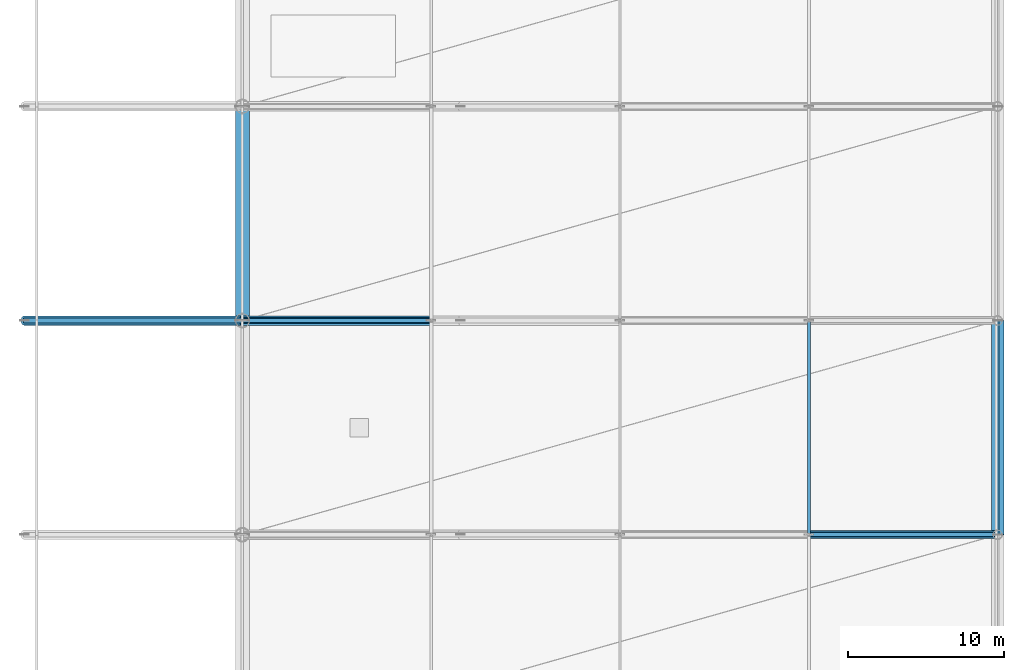
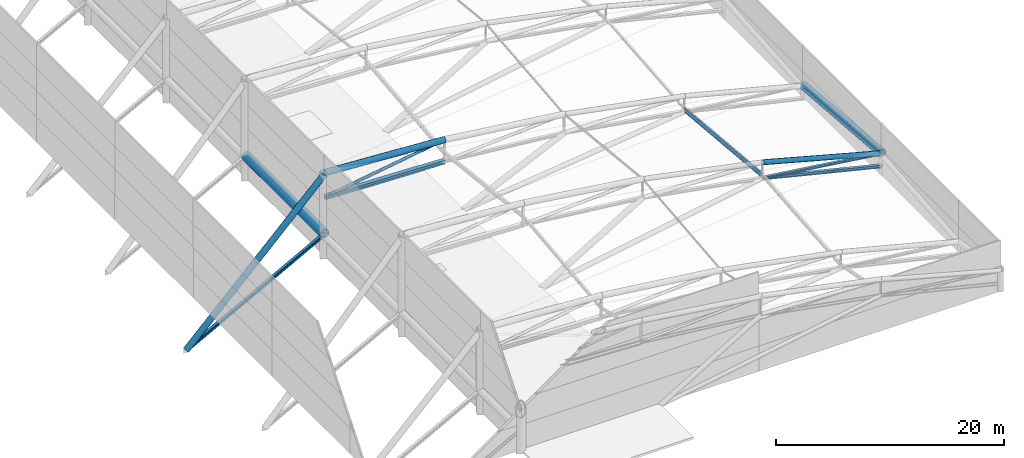
# One storey, part 11 of 36: 10 members, 2 beams.
"""IFC4 building model written with IfcOpenShell, lengths in metres."""

from ifc_helpers import new_model, si_unit, direction, frame, origin, origin_2d, place, context, subcontext, project, spatial, hollow_circle, i_section, extrude, material, material_profile, profile_set, type_object, element, save


model = new_model("IFC4")

# Units and contexts
model_context = context("Model", 3, precision=1e-05, world=origin(), true_north=direction((0.0, 1.0)))
body_context = subcontext(model_context, "Body", "Model", "MODEL_VIEW")
ifc_project = project(units=[si_unit("LENGTHUNIT", "METRE"), si_unit("AREAUNIT", "SQUARE_METRE"), si_unit("VOLUMEUNIT", "CUBIC_METRE"), si_unit("PLANEANGLEUNIT", "RADIAN"), si_unit("MASSUNIT", "GRAM", prefix="KILO")], contexts=[model_context])

# Site, building, storey
site_placement = place(None, origin())
site = spatial("IfcSite", under=ifc_project, at=site_placement, CompositionType="ELEMENT")
building_placement = place(site_placement, origin())
building = spatial("IfcBuilding", under=site, at=building_placement, Name="Linyun Crest Stadium", CompositionType="ELEMENT")
storey_placement = place(building_placement, frame((0.0, 0.0, 31.60009765625)))
storey = spatial("IfcBuildingStorey", under=building, at=storey_placement, Name="RF", CompositionType="ELEMENT", Elevation=31.60009765625)

# Beams
ifc_material_1 = material(Name="Steel Q420C", Category="steel")
ifc_material_profile_1 = material_profile(ifc_material_1, hollow_circle(Radius=0.406494140625, WallThickness=0.035888671875, at=origin_2d()), Name="CHS 813x36")
ifc_profile_set_1 = profile_set([ifc_material_profile_1], Name="Steel Q420C")
beam_type_1 = type_object("IfcBeamType", Name="HB01", PredefinedType="USERDEFINED", material=ifc_profile_set_1)
beam_1_placement = place(storey_placement, frame((-35.5, -25.375, 2.15283203125), z_axis=(0.0, 0.996786513506, -0.080103973014), x_axis=(-1.0, 0.0, 0.0)))
element("IfcBeam", 1, at=beam_1_placement, inside=storey, type_object=beam_type_1, Name="Roof Inner tension ring beam HB01 V1 5", ObjectType="RING BEAM", PredefinedType="USERDEFINED", context=body_context, shape_type="SweptSolid", body=[
    extrude(hollow_circle(Radius=0.406494140625, WallThickness=0.035888671875, at=origin_2d()), origin(), (0.0, 0.0, 1.0), 13.79443359375),
])
ifc_material_2 = material(Name="Steel Q420C", Category="steel")
ifc_material_profile_2 = material_profile(ifc_material_2, hollow_circle(Radius=0.45703125, WallThickness=0.0380859375, at=origin_2d()), Name="CHS 914x38")
ifc_profile_set_2 = profile_set([ifc_material_profile_2], Name="Steel Q420C")
beam_type_2 = type_object("IfcBeamType", Name="HB02", PredefinedType="USERDEFINED", material=ifc_profile_set_2)
beam_2_placement = place(storey_placement, frame((-84.0, -11.625, 2.164794921875), z_axis=(0.0, 1.0, 0.0), x_axis=(-1.0, 0.0, 0.0)))
element("IfcBeam", 2, at=beam_2_placement, inside=storey, type_object=beam_type_2, Name="Roof Outer compression ring beam HB02 V1 8", ObjectType="RING BEAM", PredefinedType="USERDEFINED", context=body_context, shape_type="SweptSolid", body=[
    extrude(hollow_circle(Radius=0.45703125, WallThickness=0.0380859375, at=origin_2d()), origin(), (0.0, 0.0, 1.0), 13.75),
])

# Members
ifc_material_3 = material(Name="Steel Q355B", Category="steel")
ifc_material_profile_3 = material_profile(ifc_material_3, i_section(OverallWidth=0.199951171875, OverallDepth=0.449951171875, WebThickness=0.009033203125, FlangeThickness=0.013916015625, at=origin_2d()), Name="HN 450x200")
ifc_profile_set_3 = profile_set([ifc_material_profile_3], Name="Steel Q355B")
member_type_1 = type_object("IfcMemberType", Name="PR04", PredefinedType="PURLIN", material=ifc_profile_set_3)
member_1_placement = place(storey_placement, frame((-47.625, -25.375, 4.02978515625), z_axis=(0.0, 0.995867658033, -0.090816340406), x_axis=(-1.0, 0.0, 0.0)))
element("IfcMember", 3, at=member_1_placement, inside=storey, type_object=member_type_1, Name="Roof canopy purlin PR04 V1 162", PredefinedType="PURLIN", context=body_context, shape_type="SweptSolid", body=[
    extrude(i_section(OverallWidth=0.199951171875, OverallDepth=0.449951171875, WebThickness=0.009033203125, FlangeThickness=0.013916015625, at=origin_2d()), origin(), (0.0, 0.0, 1.0), 13.80712890625),
])
ifc_material_4 = material(Name="Steel Q355B", Category="steel")
ifc_material_profile_4 = material_profile(ifc_material_4, i_section(OverallWidth=0.175048828125, OverallDepth=0.243896484375, WebThickness=0.007080078125, FlangeThickness=0.010986328125, at=origin_2d()), Name="HM 244x175")
ifc_profile_set_4 = profile_set([ifc_material_profile_4], Name="Steel Q355B")
member_type_2 = type_object("IfcMemberType", Name="PR05", PredefinedType="PURLIN", material=ifc_profile_set_4)
member_2_placement = place(storey_placement, frame((-35.5, -25.375, 2.07080078125), z_axis=(0.0, 0.996786513506, -0.080103973014), x_axis=(-1.0, 0.0, 0.0)))
element("IfcMember", 4, at=member_2_placement, inside=storey, type_object=member_type_2, Name="Roof canopy purlin PR05 V1 163", PredefinedType="PURLIN", context=body_context, shape_type="SweptSolid", body=[
    extrude(i_section(OverallWidth=0.175048828125, OverallDepth=0.243896484375, WebThickness=0.007080078125, FlangeThickness=0.010986328125, at=origin_2d()), origin(), (0.0, 0.0, 1.0), 13.79443359375),
])
ifc_material_5 = material(Name="Steel Q420C", Category="steel")
ifc_material_profile_5 = material_profile(ifc_material_5, hollow_circle(Radius=0.25390625, WallThickness=0.02490234375, at=origin_2d()), Name="CHS 508x25")
ifc_profile_set_5 = profile_set([ifc_material_profile_5], Name="Steel Q420C")
member_type_3 = type_object("IfcMemberType", Name="TC01", PredefinedType="CHORD", material=ifc_profile_set_5)
member_3_placement = place(storey_placement, frame((-47.625, -25.375, 5.414794921875), z_axis=(0.965664927757, 0.0, -0.25979077601), x_axis=(0.0, 1.0, 0.0)))
element("IfcMember", 5, at=member_3_placement, inside=storey, type_object=member_type_3, Name="Roof truss top chord TC01 V1 52", PredefinedType="CHORD", context=body_context, shape_type="SweptSolid", body=[
    extrude(hollow_circle(Radius=0.25390625, WallThickness=0.02490234375, at=origin_2d()), origin(), (0.0, 0.0, 1.0), 12.55615234375),
])
ifc_material_6 = material(Name="Steel Q420C", Category="steel")
ifc_material_profile_6 = material_profile(ifc_material_6, hollow_circle(Radius=0.304931640625, WallThickness=0.030029296875, at=origin_2d()), Name="CHS 610x30")
ifc_profile_set_6 = profile_set([ifc_material_profile_6], Name="Steel Q420C")
member_type_4 = type_object("IfcMemberType", Name="TC02", PredefinedType="CHORD", material=ifc_profile_set_6)
member_4_placement = place(storey_placement, frame((-84.0, -11.625, 8.5498046875), z_axis=(-0.708878482915, 0.0, -0.70533062918), x_axis=(0.0, -1.0, 0.0)))
element("IfcMember", 6, at=member_4_placement, inside=storey, type_object=member_type_4, Name="Roof truss back-stay chord TC02 V1 58", PredefinedType="CHORD", context=body_context, shape_type="SweptSolid", body=[
    extrude(hollow_circle(Radius=0.304931640625, WallThickness=0.030029296875, at=origin_2d()), origin(), (0.0, 0.0, 1.0), 19.74951171875),
])
member_5_placement = place(storey_placement, frame((-84.0, -11.625, 8.699951171875), z_axis=(0.998274858327, 0.0, -0.058713773783), x_axis=(0.0, 1.0, 0.0)))
element("IfcMember", 7, at=member_5_placement, inside=storey, type_object=member_type_4, Name="Roof truss top chord TC02 V1 60", PredefinedType="CHORD", context=body_context, shape_type="SweptSolid", body=[
    extrude(hollow_circle(Radius=0.304931640625, WallThickness=0.030029296875, at=origin_2d()), origin(), (0.0, 0.0, 1.0), 12.14599609375),
])
ifc_material_7 = material(Name="Steel Q355C", Category="steel")
ifc_material_profile_7 = material_profile(ifc_material_7, i_section(OverallWidth=0.300048828125, OverallDepth=0.300048828125, WebThickness=0.010009765625, FlangeThickness=0.014892578125, at=origin_2d()), Name="HW 300x300")
ifc_profile_set_7 = profile_set([ifc_material_profile_7], Name="Steel Q355C")
member_type_5 = type_object("IfcMemberType", Name="TC03", PredefinedType="CHORD", material=ifc_profile_set_7)
member_6_placement = place(storey_placement, frame((-47.625, -25.375, 3.7509765625), z_axis=(0.971651571526, 0.0, -0.236417477254), x_axis=(0.0, 1.0, 0.0)))
element("IfcMember", 8, at=member_6_placement, inside=storey, type_object=member_type_5, Name="Roof truss bottom chord TC03 V1 53", PredefinedType="CHORD", context=body_context, shape_type="SweptSolid", body=[
    extrude(i_section(OverallWidth=0.300048828125, OverallDepth=0.300048828125, WebThickness=0.010009765625, FlangeThickness=0.014892578125, at=origin_2d()), origin(), (0.0, 0.0, 1.0), 12.478759765625),
])
member_7_placement = place(storey_placement, frame((-84.0, -11.625, 2.164794921875), z_axis=(-0.880301475787, 0.0, -0.474414704376), x_axis=(0.0, -1.0, 0.0)))
element("IfcMember", 9, at=member_7_placement, inside=storey, type_object=member_type_5, Name="Roof truss lower back-span chord TC03 V1 59", PredefinedType="CHORD", context=body_context, shape_type="SweptSolid", body=[
    extrude(i_section(OverallWidth=0.300048828125, OverallDepth=0.300048828125, WebThickness=0.010009765625, FlangeThickness=0.014892578125, at=origin_2d()), origin(), (0.0, 0.0, 1.0), 15.903564453125),
])
ifc_material_8 = material(Name="Steel Q420C", Category="steel")
ifc_material_profile_8 = material_profile(ifc_material_8, i_section(OverallWidth=0.407958984375, OverallDepth=0.39990234375, WebThickness=0.02099609375, FlangeThickness=0.02099609375, at=origin_2d()), Name="HW 400x408")
ifc_profile_set_8 = profile_set([ifc_material_profile_8], Name="Steel Q420C")
member_type_6 = type_object("IfcMemberType", Name="TC04", PredefinedType="CHORD", material=ifc_profile_set_8)
member_8_placement = place(storey_placement, frame((-84.0, -11.625, 6.099853515625), z_axis=(0.999453893872, 0.0, -0.033044122377), x_axis=(0.0, 1.0, 0.0)))
element("IfcMember", 10, at=member_8_placement, inside=storey, type_object=member_type_6, Name="Roof truss bottom chord TC04 V1 61", PredefinedType="CHORD", context=body_context, shape_type="SweptSolid", body=[
    extrude(i_section(OverallWidth=0.407958984375, OverallDepth=0.39990234375, WebThickness=0.02099609375, FlangeThickness=0.02099609375, at=origin_2d()), origin(), (0.0, 0.0, 1.0), 12.131591796875),
])
ifc_material_9 = material(Name="Steel Q355C", Category="steel")
ifc_material_profile_9 = material_profile(ifc_material_9, hollow_circle(Radius=0.136474609375, WallThickness=0.013916015625, at=origin_2d()), Name="CHS 273x14")
ifc_profile_set_9 = profile_set([ifc_material_profile_9], Name="Steel Q355C")
member_type_7 = type_object("IfcMemberType", Name="TD01", PredefinedType="BRACE", material=ifc_profile_set_9)
member_9_placement = place(storey_placement, frame((-84.0, -11.625, 6.099853515625), z_axis=(0.988105923957, 0.0, 0.153774780249), x_axis=(0.0, 1.0, 0.0)))
element("IfcMember", 11, at=member_9_placement, inside=storey, type_object=member_type_7, Name="Roof truss diagonal TD01 V1 62", PredefinedType="BRACE", context=body_context, shape_type="SweptSolid", body=[
    extrude(hollow_circle(Radius=0.136474609375, WallThickness=0.013916015625, at=origin_2d()), origin(), (0.0, 0.0, 1.0), 12.27099609375),
])
ifc_material_10 = material(Name="Steel Q355C", Category="steel")
ifc_material_profile_10 = material_profile(ifc_material_10, i_section(OverallWidth=0.25, OverallDepth=0.25, WebThickness=0.009033203125, FlangeThickness=0.013916015625, at=origin_2d()), Name="HW 250x250")
ifc_profile_set_10 = profile_set([ifc_material_profile_10], Name="Steel Q355C")
member_type_8 = type_object("IfcMemberType", Name="TD04", PredefinedType="BRACE", material=ifc_profile_set_10)
member_10_placement = place(storey_placement, frame((-47.625, -25.375, 3.7509765625), z_axis=(0.991425189848, 0.0, -0.130675525385), x_axis=(0.0, 1.0, 0.0)))
element("IfcMember", 12, at=member_10_placement, inside=storey, type_object=member_type_8, Name="Roof truss diagonal TD04 V1 54", PredefinedType="BRACE", context=body_context, shape_type="SweptSolid", body=[
    extrude(i_section(OverallWidth=0.25, OverallDepth=0.25, WebThickness=0.009033203125, FlangeThickness=0.013916015625, at=origin_2d()), origin(), (0.0, 0.0, 1.0), 12.22998046875),
])

save(model, "model.ifc")
